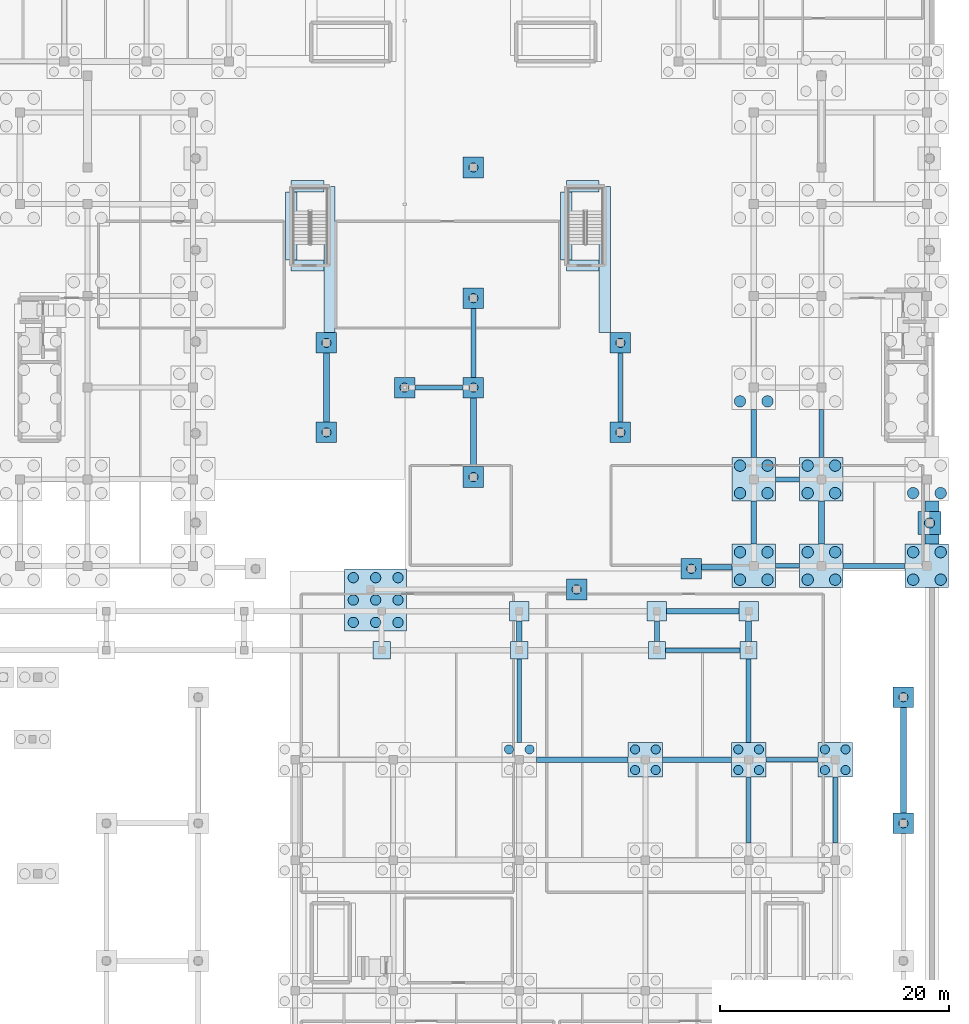
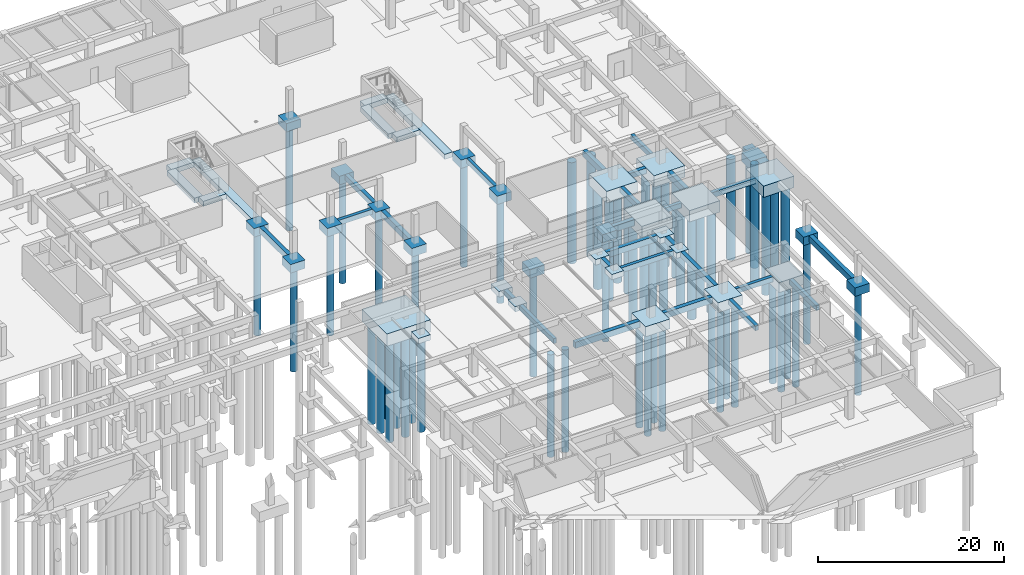
# One storey, part 10 of 35: 66 footings, 61 piles.
"""IFC4 building model written with IfcOpenShell, lengths in metres."""

from ifc_helpers import new_model, si_unit, direction, frame, origin, origin_2d, place, context, subcontext, project, spatial, rectangle, circle, extrude, material, material_profile, profile_set, type_object, element, save


model = new_model("IFC4")

# Units and contexts
model_context = context("Model", 3, precision=1e-05, world=origin(), true_north=direction((0.0, 1.0)))
body_context = subcontext(model_context, "Body", "Model", "MODEL_VIEW")
ifc_project = project(units=[si_unit("LENGTHUNIT", "METRE"), si_unit("AREAUNIT", "SQUARE_METRE"), si_unit("VOLUMEUNIT", "CUBIC_METRE"), si_unit("PLANEANGLEUNIT", "RADIAN"), si_unit("MASSUNIT", "GRAM", prefix="KILO")], contexts=[model_context])

# Site, building, storey
site_placement = place(None, origin())
site = spatial("IfcSite", under=ifc_project, at=site_placement, CompositionType="ELEMENT")
building_placement = place(site_placement, origin())
building = spatial("IfcBuilding", under=site, at=building_placement, Name="Keldmere Railside Commons", CompositionType="ELEMENT")
storey_placement = place(building_placement, frame((0.0, 0.0, -3.840087890625)))
storey = spatial("IfcBuildingStorey", under=building, at=storey_placement, Name="B1", CompositionType="ELEMENT", Elevation=-3.840087890625)

# Piles
ifc_material_1 = material(Name="Concrete H-30 (C30/37)", Category="concrete")
ifc_material_profile_1 = material_profile(ifc_material_1, circle(Radius=0.5, at=origin_2d()), Name="PILE-D1000")
ifc_profile_set_1 = profile_set([ifc_material_profile_1], Name="Concrete H-30 (C30/37)")
pile_type_1 = type_object("IfcPileType", Name="Bored Concrete Pile D1000", PredefinedType="BORED", material=ifc_profile_set_1)
for number, where, z_axis, x_axis, name in (
    (1, (167.25, 55.25, -1.39990234375), (0.0, 0.0, -1.0), (1.0, 0.0, 0.0), "BP-1000 PILE-0737"),
    (2, (169.64990234375, 55.25, -1.39990234375), (0.0, 0.0, -1.0), (1.0, 0.0, 0.0), "BP-1000 PILE-0738"),
    (3, (169.64990234375, 57.64990234375, -1.39990234375), (0.0, 0.0, -1.0), (1.0, 0.0, 0.0), "BP-1000 PILE-0739"),
    (4, (167.25, 57.64990234375, -1.39990234375), (0.0, 0.0, -1.0), (1.0, 0.0, 0.0), "BP-1000 PILE-0740"),
    (5, (167.25, 62.800048828125, -1.39990234375), (0.0, 0.0, -1.0), (1.0, 0.0, 0.0), "BP-1000 PILE-0741"),
    (6, (169.64990234375, 62.800048828125, -1.39990234375), (0.0, 0.0, -1.0), (1.0, 0.0, 0.0), "BP-1000 PILE-0742"),
    (7, (169.64990234375, 65.199951171875, -1.39990234375), (0.0, 0.0, -1.0), (1.0, 0.0, 0.0), "BP-1000 PILE-0743"),
    (8, (167.25, 65.199951171875, -1.39990234375), (0.0, 0.0, -1.0), (1.0, 0.0, 0.0), "BP-1000 PILE-0744"),
    (9, (167.25, 70.800048828125, -1.39990234375), (0.0, 0.0, -1.0), (1.0, 0.0, 0.0), "BP-1000 PILE-0745"),
    (10, (169.64990234375, 70.800048828125, -1.39990234375), (0.0, 0.0, -1.0), (1.0, 0.0, 0.0), "BP-1000 PILE-0746"),
    (11, (173.14990234375, 55.25, -1.39990234375), (0.0, 0.0, -1.0), (1.0, 0.0, 0.0), "BP-1000 PILE-0773"),
    (12, (175.550048828125, 55.25, -1.39990234375), (0.0, 0.0, -1.0), (1.0, 0.0, 0.0), "BP-1000 PILE-0774"),
    (13, (175.550048828125, 57.64990234375, -1.39990234375), (0.0, 0.0, -1.0), (1.0, 0.0, 0.0), "BP-1000 PILE-0775"),
    (14, (173.14990234375, 57.64990234375, -1.39990234375), (0.0, 0.0, -1.0), (1.0, 0.0, 0.0), "BP-1000 PILE-0776"),
    (15, (173.14990234375, 62.800048828125, -1.39990234375), (0.0, 0.0, -1.0), (1.0, 0.0, 0.0), "BP-1000 PILE-0777"),
    (16, (175.550048828125, 62.800048828125, -1.39990234375), (0.0, 0.0, -1.0), (1.0, 0.0, 0.0), "BP-1000 PILE-0778"),
    (17, (175.550048828125, 65.199951171875, -1.39990234375), (0.0, 0.0, -1.0), (1.0, 0.0, 0.0), "BP-1000 PILE-0779"),
    (18, (173.14990234375, 65.199951171875, -1.39990234375), (0.0, 0.0, -1.0), (1.0, 0.0, 0.0), "BP-1000 PILE-0780"),
    (19, (182.35009765625, 55.25, -1.39990234375), (0.0, 0.0, -1.0), (1.0, 0.0, 0.0), "BP-1000 PILE-0827"),
    (20, (184.75, 55.25, -1.39990234375), (0.0, 0.0, -1.0), (1.0, 0.0, 0.0), "BP-1000 PILE-0828"),
    (21, (184.75, 57.64990234375, -1.39990234375), (0.0, 0.0, -1.0), (1.0, 0.0, 0.0), "BP-1000 PILE-0829"),
    (22, (182.35009765625, 57.64990234375, -1.39990234375), (0.0, 0.0, -1.0), (1.0, 0.0, 0.0), "BP-1000 PILE-0830"),
    (23, (182.35009765625, 62.800048828125, -1.39990234375), (0.0, 0.0, -1.0), (1.0, 0.0, 0.0), "BP-1000 PILE-0831"),
    (24, (184.75, 62.800048828125, -1.39990234375), (0.0, 0.0, -1.0), (1.0, 0.0, 0.0), "BP-1000 PILE-0832"),
):
    element("IfcPile", number, at=place(storey_placement, frame(where, z_axis=z_axis, x_axis=x_axis)), inside=storey, type_object=pile_type_1, Name=name, PredefinedType="BORED", context=body_context, shape_type="SweptSolid", body=[
        extrude(circle(Radius=0.5, at=origin_2d()), origin(), (0.0, 0.0, 1.0), 13.260009765625),
    ])
ifc_material_profile_2 = material_profile(ifc_material_1, circle(Radius=0.39990234375, at=origin_2d()), Name="PILE-D800")
ifc_profile_set_2 = profile_set([ifc_material_profile_2], Name="Concrete H-30 (C30/37)")
pile_type_2 = type_object("IfcPileType", Name="Bored Concrete Pile D800", PredefinedType="BORED", material=ifc_profile_set_2)
for number, where, z_axis, x_axis, name in (
    (25, (131.18310546875, 68.10009765625, -1.0), (0.0, 0.0, -1.0), (1.0, 0.0, 0.0), "BP-800 PILE-0615"),
    (26, (131.18310546875, 75.89990234375, -1.0), (0.0, 0.0, -1.0), (1.0, 0.0, 0.0), "BP-800 PILE-0616"),
    (27, (138.0, 72.0, -1.0), (0.0, 0.0, -1.0), (1.0, 0.0, 0.0), "BP-800 PILE-0650"),
    (28, (144.0, 64.199951171875, -1.0), (0.0, 0.0, -1.0), (1.0, 0.0, 0.0), "BP-800 PILE-0652"),
    (29, (144.0, 72.0, -1.0), (0.0, 0.0, -1.0), (1.0, 0.0, 0.0), "BP-800 PILE-0653"),
    (30, (144.0, 79.800048828125, -1.0), (0.0, 0.0, -1.0), (1.0, 0.0, 0.0), "BP-800 PILE-0654"),
    (31, (144.0, 91.199951171875, -1.0), (0.0, 0.0, -1.0), (1.0, 0.0, 0.0), "BP-800 PILE-0655"),
):
    element("IfcPile", number, at=place(storey_placement, frame(where, z_axis=z_axis, x_axis=x_axis)), inside=storey, type_object=pile_type_2, Name=name, PredefinedType="BORED", context=body_context, shape_type="SweptSolid", body=[
        extrude(circle(Radius=0.39990234375, at=origin_2d()), origin(), (0.0, 0.0, 1.0), 13.659912109375),
    ])
for number, where, z_axis, x_axis, name in (
    (32, (148.89990234375, 40.449951171875, -1.199951171875), (0.0, 0.0, -1.0), (1.0, 0.0, 0.0), "BP-800 PILE-0678"),
    (33, (147.10009765625, 40.449951171875, -1.199951171875), (0.0, 0.0, -1.0), (1.0, 0.0, 0.0), "BP-800 PILE-0679"),
):
    element("IfcPile", number, at=place(storey_placement, frame(where, z_axis=z_axis, x_axis=x_axis)), inside=storey, type_object=pile_type_2, Name=name, PredefinedType="BORED", context=body_context, shape_type="SweptSolid", body=[
        extrude(circle(Radius=0.39990234375, at=origin_2d()), origin(), (0.0, 0.0, 1.0), 13.4599609375),
    ])
for number, where, z_axis, x_axis, name in (
    (34, (153.0, 54.39990234375, -1.0), (0.0, 0.0, -1.0), (1.0, 0.0, 0.0), "BP-800 PILE-0680"),
    (35, (156.81689453125, 68.10009765625, -1.0), (0.0, 0.0, -1.0), (1.0, 0.0, 0.0), "BP-800 PILE-0689"),
    (36, (156.81689453125, 75.89990234375, -1.0), (0.0, 0.0, -1.0), (1.0, 0.0, 0.0), "BP-800 PILE-0690"),
):
    element("IfcPile", number, at=place(storey_placement, frame(where, z_axis=z_axis, x_axis=x_axis)), inside=storey, type_object=pile_type_2, Name=name, PredefinedType="BORED", context=body_context, shape_type="SweptSolid", body=[
        extrude(circle(Radius=0.39990234375, at=origin_2d()), origin(), (0.0, 0.0, 1.0), 13.659912109375),
    ])
for number, where, z_axis, x_axis, name in (
    (37, (158.10009765625, 38.64990234375, -1.199951171875), (0.0, 0.0, -1.0), (1.0, 0.0, 0.0), "BP-800 PILE-0703"),
    (38, (159.89990234375, 38.64990234375, -1.199951171875), (0.0, 0.0, -1.0), (1.0, 0.0, 0.0), "BP-800 PILE-0704"),
    (39, (159.89990234375, 40.449951171875, -1.199951171875), (0.0, 0.0, -1.0), (1.0, 0.0, 0.0), "BP-800 PILE-0705"),
    (40, (158.10009765625, 40.449951171875, -1.199951171875), (0.0, 0.0, -1.0), (1.0, 0.0, 0.0), "BP-800 PILE-0706"),
):
    element("IfcPile", number, at=place(storey_placement, frame(where, z_axis=z_axis, x_axis=x_axis)), inside=storey, type_object=pile_type_2, Name=name, PredefinedType="BORED", context=body_context, shape_type="SweptSolid", body=[
        extrude(circle(Radius=0.39990234375, at=origin_2d()), origin(), (0.0, 0.0, 1.0), 13.4599609375),
    ])
pile_1_placement = place(storey_placement, frame((163.0, 56.199951171875, -1.0), z_axis=(0.0, 0.0, -1.0), x_axis=(1.0, 0.0, 0.0)))
element("IfcPile", 41, at=pile_1_placement, inside=storey, type_object=pile_type_2, Name="BP-800 PILE-0720", PredefinedType="BORED", context=body_context, shape_type="SweptSolid", body=[
    extrude(circle(Radius=0.39990234375, at=origin_2d()), origin(), (0.0, 0.0, 1.0), 13.659912109375),
])
for number, where, z_axis, x_axis, name in (
    (42, (167.10009765625, 38.64990234375, -1.199951171875), (0.0, 0.0, -1.0), (1.0, 0.0, 0.0), "BP-800 PILE-0733"),
    (43, (168.89990234375, 38.64990234375, -1.199951171875), (0.0, 0.0, -1.0), (1.0, 0.0, 0.0), "BP-800 PILE-0734"),
    (44, (168.89990234375, 40.449951171875, -1.199951171875), (0.0, 0.0, -1.0), (1.0, 0.0, 0.0), "BP-800 PILE-0735"),
    (45, (167.10009765625, 40.449951171875, -1.199951171875), (0.0, 0.0, -1.0), (1.0, 0.0, 0.0), "BP-800 PILE-0736"),
    (46, (174.64990234375, 38.64990234375, -1.199951171875), (0.0, 0.0, -1.0), (1.0, 0.0, 0.0), "BP-800 PILE-0811"),
    (47, (176.449951171875, 38.64990234375, -1.199951171875), (0.0, 0.0, -1.0), (1.0, 0.0, 0.0), "BP-800 PILE-0812"),
    (48, (176.449951171875, 40.449951171875, -1.199951171875), (0.0, 0.0, -1.0), (1.0, 0.0, 0.0), "BP-800 PILE-0813"),
    (49, (174.64990234375, 40.449951171875, -1.199951171875), (0.0, 0.0, -1.0), (1.0, 0.0, 0.0), "BP-800 PILE-0814"),
):
    element("IfcPile", number, at=place(storey_placement, frame(where, z_axis=z_axis, x_axis=x_axis)), inside=storey, type_object=pile_type_2, Name=name, PredefinedType="BORED", context=body_context, shape_type="SweptSolid", body=[
        extrude(circle(Radius=0.39990234375, at=origin_2d()), origin(), (0.0, 0.0, 1.0), 13.4599609375),
    ])
for number, where, z_axis, x_axis, name in (
    (50, (181.5, 34.0, -1.0), (0.0, 0.0, -1.0), (1.0, 0.0, 0.0), "BP-800 PILE-0825"),
    (51, (181.5, 45.0, -1.0), (0.0, 0.0, -1.0), (1.0, 0.0, 0.0), "BP-800 PILE-0826"),
):
    element("IfcPile", number, at=place(storey_placement, frame(where, z_axis=z_axis, x_axis=x_axis)), inside=storey, type_object=pile_type_2, Name=name, PredefinedType="BORED", context=body_context, shape_type="SweptSolid", body=[
        extrude(circle(Radius=0.39990234375, at=origin_2d()), origin(), (0.0, 0.0, 1.0), 13.659912109375),
    ])
ifc_material_profile_3 = material_profile(ifc_material_1, circle(Radius=0.449951171875, at=origin_2d()), Name="PILE-D900")
ifc_profile_set_3 = profile_set([ifc_material_profile_3], Name="Concrete H-30 (C30/37)")
pile_type_3 = type_object("IfcPileType", Name="Bored Concrete Pile D900", PredefinedType="BORED", material=ifc_profile_set_3)
for number, where, z_axis, x_axis, name in (
    (52, (133.52490234375, 51.52490234375, -1.5), (0.0, 0.0, -1.0), (1.0, 0.0, 0.0), "BP-900 PILE-0617"),
    (53, (133.52490234375, 53.47509765625, -1.5), (0.0, 0.0, -1.0), (1.0, 0.0, 0.0), "BP-900 PILE-0618"),
    (54, (133.52490234375, 55.425048828125, -1.5), (0.0, 0.0, -1.0), (1.0, 0.0, 0.0), "BP-900 PILE-0619"),
    (55, (135.47509765625, 51.52490234375, -1.5), (0.0, 0.0, -1.0), (1.0, 0.0, 0.0), "BP-900 PILE-0620"),
    (56, (135.47509765625, 53.47509765625, -1.5), (0.0, 0.0, -1.0), (1.0, 0.0, 0.0), "BP-900 PILE-0621"),
    (57, (135.47509765625, 55.425048828125, -1.5), (0.0, 0.0, -1.0), (1.0, 0.0, 0.0), "BP-900 PILE-0622"),
    (58, (137.425048828125, 51.52490234375, -1.5), (0.0, 0.0, -1.0), (1.0, 0.0, 0.0), "BP-900 PILE-0623"),
    (59, (137.425048828125, 53.47509765625, -1.5), (0.0, 0.0, -1.0), (1.0, 0.0, 0.0), "BP-900 PILE-0624"),
    (60, (137.425048828125, 55.425048828125, -1.5), (0.0, 0.0, -1.0), (1.0, 0.0, 0.0), "BP-900 PILE-0625"),
):
    element("IfcPile", number, at=place(storey_placement, frame(where, z_axis=z_axis, x_axis=x_axis)), inside=storey, type_object=pile_type_3, Name=name, PredefinedType="BORED", context=body_context, shape_type="SweptSolid", body=[
        extrude(circle(Radius=0.449951171875, at=origin_2d()), origin(), (0.0, 0.0, 1.0), 13.159912109375),
    ])
pile_2_placement = place(storey_placement, frame((183.780029296875, 60.199951171875, -1.099853515625), z_axis=(0.0, 0.0, -1.0), x_axis=(1.0, 0.0, 0.0)))
element("IfcPile", 61, at=pile_2_placement, inside=storey, type_object=pile_type_3, Name="BP-900 PILE-0859", PredefinedType="BORED", context=body_context, shape_type="SweptSolid", body=[
    extrude(circle(Radius=0.449951171875, at=origin_2d()), origin(), (0.0, 0.0, 1.0), 13.56005859375),
])

# Footings
ifc_material_2 = material(Name="Concrete H-40 (C40/50)", Category="concrete")
footing_type_1 = type_object("IfcFootingType", Name="Canopy Pad Footing 1700x1700x750", PredefinedType="PAD_FOOTING", material=ifc_material_2)
for number, where, z_axis, x_axis, name in (
    (62, (148.0, 52.5, -0.75), (0.0, 0.0, 1.0), (1.0, 0.0, 0.0), "PF-02 FTG-277"),
    (63, (160.0, 52.5, -0.75), (0.0, 0.0, 1.0), (1.0, 0.0, 0.0), "PF-02 FTG-289"),
    (64, (168.0, 52.5, -0.75), (0.0, 0.0, 1.0), (1.0, 0.0, 0.0), "PF-02 FTG-299"),
):
    element("IfcFooting", number, at=place(storey_placement, frame(where, z_axis=z_axis, x_axis=x_axis)), inside=storey, type_object=footing_type_1, Name=name, PredefinedType="PAD_FOOTING", context=body_context, shape_type="SweptSolid", body=[
        extrude(rectangle(XDim=1.699951171875, YDim=1.699951171875, at=origin_2d()), origin(), (0.0, 0.0, 1.0), 0.75),
    ])
footing_type_2 = type_object("IfcFootingType", Name="Colonnade Pad Footing 1500x1500x700", PredefinedType="PAD_FOOTING", material=ifc_material_2)
for number, where, z_axis, x_axis, name in (
    (65, (136.0, 49.10009765625, -0.69970703125), (0.0, 0.0, 1.0), (1.0, 0.0, 0.0), "PF-01 FTG-257"),
    (66, (148.0, 49.10009765625, -0.69970703125), (0.0, 0.0, 1.0), (1.0, 0.0, 0.0), "PF-01 FTG-276"),
    (67, (160.0, 49.10009765625, -0.69970703125), (0.0, 0.0, 1.0), (1.0, 0.0, 0.0), "PF-01 FTG-288"),
    (68, (168.0, 49.10009765625, -0.69970703125), (0.0, 0.0, 1.0), (1.0, 0.0, 0.0), "PF-01 FTG-298"),
):
    element("IfcFooting", number, at=place(storey_placement, frame(where, z_axis=z_axis, x_axis=x_axis)), inside=storey, type_object=footing_type_2, Name=name, PredefinedType="PAD_FOOTING", context=body_context, shape_type="SweptSolid", body=[
        extrude(rectangle(XDim=1.5, YDim=1.5, at=origin_2d()), origin(), (0.0, 0.0, 1.0), 0.699951171875),
    ])
footing_type_3 = type_object("IfcFootingType", Name="Four-Pile Cap 3000x3000x1300", PredefinedType="PILE_CAP", material=ifc_material_2)
for number, where, z_axis, x_axis, name in (
    (69, (159.0, 39.550048828125, -1.2998046875), (0.0, 0.0, 1.0), (1.0, 0.0, 0.0), "PC-04 FTG-286"),
    (70, (168.0, 39.550048828125, -1.2998046875), (0.0, 0.0, 1.0), (1.0, 0.0, 0.0), "PC-04 FTG-297"),
    (71, (175.550048828125, 39.550048828125, -1.2998046875), (0.0, 0.0, 1.0), (1.0, 0.0, 0.0), "PC-04 FTG-319"),
):
    element("IfcFooting", number, at=place(storey_placement, frame(where, z_axis=z_axis, x_axis=x_axis)), inside=storey, type_object=footing_type_3, Name=name, PredefinedType="PILE_CAP", context=body_context, shape_type="SweptSolid", body=[
        extrude(rectangle(XDim=3.0, YDim=3.0, at=origin_2d()), origin(), (0.0, 0.0, 1.0), 1.300048828125),
    ])
footing_type_4 = type_object("IfcFootingType", Name="Four-Pile D1000 Cap 3800x3800x1500", PredefinedType="PILE_CAP", material=ifc_material_2)
for number, where, z_axis, x_axis, name in (
    (72, (168.449951171875, 56.449951171875, -1.5), (0.0, 0.0, 1.0), (1.0, 0.0, 0.0), "PC-06 FTG-300"),
    (73, (168.449951171875, 64.0, -1.5), (0.0, 0.0, 1.0), (1.0, 0.0, 0.0), "PC-06 FTG-301"),
    (74, (174.35009765625, 56.449951171875, -1.5), (0.0, 0.0, 1.0), (1.0, 0.0, 0.0), "PC-06 FTG-309"),
    (75, (174.35009765625, 64.0, -1.5), (0.0, 0.0, 1.0), (1.0, 0.0, 0.0), "PC-06 FTG-310"),
    (76, (183.550048828125, 56.449951171875, -1.5), (0.0, 0.0, 1.0), (1.0, 0.0, 0.0), "PC-06 FTG-326"),
):
    element("IfcFooting", number, at=place(storey_placement, frame(where, z_axis=z_axis, x_axis=x_axis)), inside=storey, type_object=footing_type_4, Name=name, PredefinedType="PILE_CAP", context=body_context, shape_type="SweptSolid", body=[
        extrude(rectangle(XDim=3.800048828125, YDim=3.800048828125, at=origin_2d()), origin(), (0.0, 0.0, 1.0), 1.5),
    ])
footing_type_5 = type_object("IfcFootingType", Name="Nine-Pile Core Cap 5400x5400x1600", PredefinedType="PILE_CAP", material=ifc_material_2)
footing_1_placement = place(storey_placement, frame((135.47509765625, 53.47509765625, -1.599853515625), z_axis=(0.0, 0.0, 1.0), x_axis=(1.0, 0.0, 0.0)))
element("IfcFooting", 77, at=footing_1_placement, inside=storey, type_object=footing_type_5, Name="PC-08 FTG-256", PredefinedType="PILE_CAP", context=body_context, shape_type="SweptSolid", body=[
    extrude(rectangle(XDim=5.39990234375, YDim=5.39990234375, at=origin_2d()), origin(), (0.0, 0.0, 1.0), 1.60009765625),
])
footing_type_6 = type_object("IfcFootingType", Name="Perimeter Ground Tie Beam 400x650", PredefinedType="FOOTING_BEAM", material=ifc_material_2)
footing_2_placement = place(storey_placement, frame((141.0, 72.0, -0.64990234375), z_axis=(0.0, 0.0, 1.0), x_axis=(1.0, 0.0, 0.0)))
element("IfcFooting", 78, at=footing_2_placement, inside=storey, type_object=footing_type_6, Name="GB-03 GB-218", PredefinedType="FOOTING_BEAM", context=body_context, shape_type="SweptSolid", body=[
    extrude(rectangle(XDim=4.199951171875, YDim=0.39990234375, at=origin_2d()), origin(), (0.0, 0.0, 1.0), 0.64990234375),
])
footing_3_placement = place(storey_placement, frame((148.0, 44.699951171875, -0.64990234375), z_axis=(0.0, 0.0, 1.0), x_axis=(0.0, 1.0, 0.0)))
element("IfcFooting", 79, at=footing_3_placement, inside=storey, type_object=footing_type_6, Name="GB-03 GB-230", PredefinedType="FOOTING_BEAM", context=body_context, shape_type="SweptSolid", body=[
    extrude(rectangle(XDim=7.300048828125, YDim=0.39990234375, at=origin_2d()), origin(), (0.0, 0.0, 1.0), 0.64990234375),
])
footing_4_placement = place(storey_placement, frame((156.81689453125, 72.0, -0.64990234375), z_axis=(0.0, 0.0, 1.0), x_axis=(0.0, 1.0, 0.0)))
element("IfcFooting", 80, at=footing_4_placement, inside=storey, type_object=footing_type_6, Name="GB-03 GB-236", PredefinedType="FOOTING_BEAM", context=body_context, shape_type="SweptSolid", body=[
    extrude(rectangle(XDim=6.0, YDim=0.39990234375, at=origin_2d()), origin(), (0.0, 0.0, 1.0), 0.64990234375),
])
footing_5_placement = place(storey_placement, frame((164.0, 49.10009765625, -0.64990234375), z_axis=(0.0, 0.0, 1.0), x_axis=(1.0, 0.0, 0.0)))
element("IfcFooting", 81, at=footing_5_placement, inside=storey, type_object=footing_type_6, Name="GB-03 GB-245", PredefinedType="FOOTING_BEAM", context=body_context, shape_type="SweptSolid", body=[
    extrude(rectangle(XDim=6.5, YDim=0.39990234375, at=origin_2d()), origin(), (0.0, 0.0, 1.0), 0.64990234375),
])
footing_6_placement = place(storey_placement, frame((168.0, 35.175048828125, -0.64990234375), z_axis=(0.0, 0.0, 1.0), x_axis=(0.0, 1.0, 0.0)))
element("IfcFooting", 82, at=footing_6_placement, inside=storey, type_object=footing_type_6, Name="GB-03 GB-257", PredefinedType="FOOTING_BEAM", context=body_context, shape_type="SweptSolid", body=[
    extrude(rectangle(XDim=5.75, YDim=0.39990234375, at=origin_2d()), origin(), (0.0, 0.0, 1.0), 0.64990234375),
])
footing_7_placement = place(storey_placement, frame((171.77490234375, 39.550048828125, -0.64990234375), z_axis=(0.0, 0.0, 1.0), x_axis=(1.0, 0.0, 0.0)))
element("IfcFooting", 83, at=footing_7_placement, inside=storey, type_object=footing_type_6, Name="GB-03 GB-260", PredefinedType="FOOTING_BEAM", context=body_context, shape_type="SweptSolid", body=[
    extrude(rectangle(XDim=4.550048828125, YDim=0.39990234375, at=origin_2d()), origin(), (0.0, 0.0, 1.0), 0.64990234375),
])
footing_8_placement = place(storey_placement, frame((171.39990234375, 56.449951171875, -0.64990234375), z_axis=(0.0, 0.0, 1.0), x_axis=(1.0, 0.0, 0.0)))
element("IfcFooting", 84, at=footing_8_placement, inside=storey, type_object=footing_type_6, Name="GB-03 GB-263", PredefinedType="FOOTING_BEAM", context=body_context, shape_type="SweptSolid", body=[
    extrude(rectangle(XDim=2.10009765625, YDim=0.39990234375, at=origin_2d()), origin(), (0.0, 0.0, 1.0), 0.64990234375),
])
footing_9_placement = place(storey_placement, frame((174.35009765625, 68.0, -0.64990234375), z_axis=(0.0, 0.0, 1.0), x_axis=(0.0, 1.0, 0.0)))
element("IfcFooting", 85, at=footing_9_placement, inside=storey, type_object=footing_type_6, Name="GB-03 GB-278", PredefinedType="FOOTING_BEAM", context=body_context, shape_type="SweptSolid", body=[
    extrude(rectangle(XDim=4.199951171875, YDim=0.39990234375, at=origin_2d()), origin(), (0.0, 0.0, 1.0), 0.64990234375),
])
footing_10_placement = place(storey_placement, frame((175.550048828125, 35.175048828125, -0.64990234375), z_axis=(0.0, 0.0, 1.0), x_axis=(0.0, 1.0, 0.0)))
element("IfcFooting", 86, at=footing_10_placement, inside=storey, type_object=footing_type_6, Name="GB-03 GB-287", PredefinedType="FOOTING_BEAM", context=body_context, shape_type="SweptSolid", body=[
    extrude(rectangle(XDim=5.75, YDim=0.39990234375, at=origin_2d()), origin(), (0.0, 0.0, 1.0), 0.64990234375),
])
footing_type_7 = type_object("IfcFootingType", Name="Primary Ground Tie Beam 500x800", PredefinedType="FOOTING_BEAM", material=ifc_material_2)
for number, where, z_axis, x_axis, name in (
    (87, (131.18310546875, 72.0, -0.7998046875), (0.0, 0.0, 1.0), (0.0, 1.0, 0.0), "GB-01 GB-207"),
    (88, (144.0, 68.10009765625, -0.7998046875), (0.0, 0.0, 1.0), (0.0, 1.0, 0.0), "GB-01 GB-219"),
):
    element("IfcFooting", number, at=place(storey_placement, frame(where, z_axis=z_axis, x_axis=x_axis)), inside=storey, type_object=footing_type_7, Name=name, PredefinedType="FOOTING_BEAM", context=body_context, shape_type="SweptSolid", body=[
        extrude(rectangle(XDim=6.0, YDim=0.5, at=origin_2d()), origin(), (0.0, 0.0, 1.0), 0.800048828125),
    ])
footing_11_placement = place(storey_placement, frame((153.5, 39.550048828125, -0.7998046875), z_axis=(0.0, 0.0, 1.0), x_axis=(1.0, 0.0, 0.0)))
element("IfcFooting", 89, at=footing_11_placement, inside=storey, type_object=footing_type_7, Name="GB-01 GB-231", PredefinedType="FOOTING_BEAM", context=body_context, shape_type="SweptSolid", body=[
    extrude(rectangle(XDim=8.0, YDim=0.5, at=origin_2d()), origin(), (0.0, 0.0, 1.0), 0.800048828125),
])
footing_12_placement = place(storey_placement, frame((163.5, 39.550048828125, -0.7998046875), z_axis=(0.0, 0.0, 1.0), x_axis=(1.0, 0.0, 0.0)))
element("IfcFooting", 90, at=footing_12_placement, inside=storey, type_object=footing_type_7, Name="GB-01 GB-243", PredefinedType="FOOTING_BEAM", context=body_context, shape_type="SweptSolid", body=[
    extrude(rectangle(XDim=6.0, YDim=0.5, at=origin_2d()), origin(), (0.0, 0.0, 1.0), 0.800048828125),
])
footing_13_placement = place(storey_placement, frame((164.0, 52.5, -0.7998046875), z_axis=(0.0, 0.0, 1.0), x_axis=(1.0, 0.0, 0.0)))
element("IfcFooting", 91, at=footing_13_placement, inside=storey, type_object=footing_type_7, Name="GB-01 GB-246", PredefinedType="FOOTING_BEAM", context=body_context, shape_type="SweptSolid", body=[
    extrude(rectangle(XDim=6.300048828125, YDim=0.5, at=origin_2d()), origin(), (0.0, 0.0, 1.0), 0.800048828125),
])
footing_14_placement = place(storey_placement, frame((165.22509765625, 56.324951171875, -0.7998046875), z_axis=(0.0, 0.0, 1.0), x_axis=(1.0, 0.0, 0.0)))
element("IfcFooting", 92, at=footing_14_placement, inside=storey, type_object=footing_type_7, Name="GB-01 GB-252", PredefinedType="FOOTING_BEAM", context=body_context, shape_type="SweptSolid", body=[
    extrude(rectangle(XDim=2.64990234375, YDim=0.5, at=origin_2d()), origin(), (0.0, 0.0, 1.0), 0.800048828125),
])
footing_15_placement = place(storey_placement, frame((168.0, 50.75, -0.7998046875), z_axis=(0.0, 0.0, 1.0), x_axis=(0.0, 1.0, 0.0)))
element("IfcFooting", 93, at=footing_15_placement, inside=storey, type_object=footing_type_7, Name="GB-01 GB-261", PredefinedType="FOOTING_BEAM", context=body_context, shape_type="SweptSolid", body=[
    extrude(rectangle(XDim=1.800048828125, YDim=0.5, at=origin_2d()), origin(), (0.0, 0.0, 1.0), 0.800048828125),
])
footing_16_placement = place(storey_placement, frame((168.449951171875, 68.0, -0.7998046875), z_axis=(0.0, 0.0, 1.0), x_axis=(0.0, 1.0, 0.0)))
element("IfcFooting", 94, at=footing_16_placement, inside=storey, type_object=footing_type_7, Name="GB-01 GB-264", PredefinedType="FOOTING_BEAM", context=body_context, shape_type="SweptSolid", body=[
    extrude(rectangle(XDim=4.199951171875, YDim=0.5, at=origin_2d()), origin(), (0.0, 0.0, 1.0), 0.800048828125),
])
footing_17_placement = place(storey_placement, frame((174.35009765625, 60.22509765625, -0.7998046875), z_axis=(0.0, 0.0, 1.0), x_axis=(0.0, 1.0, 0.0)))
element("IfcFooting", 95, at=footing_17_placement, inside=storey, type_object=footing_type_7, Name="GB-01 GB-276", PredefinedType="FOOTING_BEAM", context=body_context, shape_type="SweptSolid", body=[
    extrude(rectangle(XDim=3.75, YDim=0.5, at=origin_2d()), origin(), (0.0, 0.0, 1.0), 0.800048828125),
])
footing_18_placement = place(storey_placement, frame((181.5, 39.5, -0.7998046875), z_axis=(0.0, 0.0, 1.0), x_axis=(0.0, 1.0, 0.0)))
element("IfcFooting", 96, at=footing_18_placement, inside=storey, type_object=footing_type_7, Name="GB-01 GB-291", PredefinedType="FOOTING_BEAM", context=body_context, shape_type="SweptSolid", body=[
    extrude(rectangle(XDim=9.199951171875, YDim=0.5, at=origin_2d()), origin(), (0.0, 0.0, 1.0), 0.800048828125),
])
footing_type_8 = type_object("IfcFootingType", Name="Ramp Wall Strip Footing 1000x650", PredefinedType="STRIP_FOOTING", material=ifc_material_2)
footing_19_placement = place(storey_placement, frame((131.449951171875, 83.175048828125, -0.64990234375), z_axis=(0.0, 0.0, 1.0), x_axis=(0.0, 1.0, 0.0)))
element("IfcFooting", 97, at=footing_19_placement, inside=storey, type_object=footing_type_8, Name="SF-02 WSF-087", PredefinedType="STRIP_FOOTING", context=body_context, shape_type="SweptSolid", body=[
    extrude(rectangle(XDim=12.75, YDim=1.0, at=origin_2d()), origin(), (0.0, 0.0, 1.0), 0.64990234375),
])
for number, where, z_axis, x_axis, name in (
    (98, (129.52490234375, 89.550048828125, -0.64990234375), (0.0, 0.0, 1.0), (1.0, 0.0, 0.0), "SF-02 WSF-088"),
    (99, (129.52490234375, 82.64990234375, -0.64990234375), (0.0, 0.0, 1.0), (1.0, 0.0, 0.0), "SF-02 WSF-089"),
):
    element("IfcFooting", number, at=place(storey_placement, frame(where, z_axis=z_axis, x_axis=x_axis)), inside=storey, type_object=footing_type_8, Name=name, PredefinedType="STRIP_FOOTING", context=body_context, shape_type="SweptSolid", body=[
        extrude(rectangle(XDim=2.85009765625, YDim=1.0, at=origin_2d()), origin(), (0.0, 0.0, 1.0), 0.64990234375),
    ])
footing_20_placement = place(storey_placement, frame((128.10009765625, 86.10009765625, -0.64990234375), z_axis=(0.0, 0.0, 1.0), x_axis=(0.0, 1.0, 0.0)))
element("IfcFooting", 100, at=footing_20_placement, inside=storey, type_object=footing_type_8, Name="SF-02 WSF-090", PredefinedType="STRIP_FOOTING", context=body_context, shape_type="SweptSolid", body=[
    extrude(rectangle(XDim=5.89990234375, YDim=1.0, at=origin_2d()), origin(), (0.0, 0.0, 1.0), 0.64990234375),
])
footing_21_placement = place(storey_placement, frame((155.449951171875, 83.175048828125, -0.64990234375), z_axis=(0.0, 0.0, 1.0), x_axis=(0.0, 1.0, 0.0)))
element("IfcFooting", 101, at=footing_21_placement, inside=storey, type_object=footing_type_8, Name="SF-02 WSF-091", PredefinedType="STRIP_FOOTING", context=body_context, shape_type="SweptSolid", body=[
    extrude(rectangle(XDim=12.75, YDim=1.0, at=origin_2d()), origin(), (0.0, 0.0, 1.0), 0.64990234375),
])
for number, where, z_axis, x_axis, name in (
    (102, (153.52490234375, 89.550048828125, -0.64990234375), (0.0, 0.0, 1.0), (1.0, 0.0, 0.0), "SF-02 WSF-092"),
    (103, (153.52490234375, 82.64990234375, -0.64990234375), (0.0, 0.0, 1.0), (1.0, 0.0, 0.0), "SF-02 WSF-093"),
):
    element("IfcFooting", number, at=place(storey_placement, frame(where, z_axis=z_axis, x_axis=x_axis)), inside=storey, type_object=footing_type_8, Name=name, PredefinedType="STRIP_FOOTING", context=body_context, shape_type="SweptSolid", body=[
        extrude(rectangle(XDim=2.85009765625, YDim=1.0, at=origin_2d()), origin(), (0.0, 0.0, 1.0), 0.64990234375),
    ])
footing_22_placement = place(storey_placement, frame((152.10009765625, 86.10009765625, -0.64990234375), z_axis=(0.0, 0.0, 1.0), x_axis=(0.0, 1.0, 0.0)))
element("IfcFooting", 104, at=footing_22_placement, inside=storey, type_object=footing_type_8, Name="SF-02 WSF-094", PredefinedType="STRIP_FOOTING", context=body_context, shape_type="SweptSolid", body=[
    extrude(rectangle(XDim=5.89990234375, YDim=1.0, at=origin_2d()), origin(), (0.0, 0.0, 1.0), 0.64990234375),
])
footing_type_9 = type_object("IfcFootingType", Name="Retaining Wall Strip Footing 1200x750", PredefinedType="STRIP_FOOTING", material=ifc_material_2)
footing_23_placement = place(storey_placement, frame((184.0, 58.77490234375, -0.75), z_axis=(0.0, 0.0, 1.0), x_axis=(0.0, 1.0, 0.0)))
element("IfcFooting", 105, at=footing_23_placement, inside=storey, type_object=footing_type_9, Name="SF-01 WSF-006", PredefinedType="STRIP_FOOTING", context=body_context, shape_type="SweptSolid", body=[
    extrude(rectangle(XDim=0.85009765625, YDim=1.199951171875, at=origin_2d()), origin(), (0.0, 0.0, 1.0), 0.75),
])
footing_24_placement = place(storey_placement, frame((184.0, 61.64990234375, -0.75), z_axis=(0.0, 0.0, 1.0), x_axis=(0.0, 1.0, 0.0)))
element("IfcFooting", 106, at=footing_24_placement, inside=storey, type_object=footing_type_9, Name="SF-01 WSF-007", PredefinedType="STRIP_FOOTING", context=body_context, shape_type="SweptSolid", body=[
    extrude(rectangle(XDim=0.89990234375, YDim=1.199951171875, at=origin_2d()), origin(), (0.0, 0.0, 1.0), 0.75),
])
footing_type_10 = type_object("IfcFootingType", Name="Secondary Ground Tie Beam 450x700", PredefinedType="FOOTING_BEAM", material=ifc_material_2)
footing_25_placement = place(storey_placement, frame((144.0, 75.89990234375, -0.69970703125), z_axis=(0.0, 0.0, 1.0), x_axis=(0.0, 1.0, 0.0)))
element("IfcFooting", 107, at=footing_25_placement, inside=storey, type_object=footing_type_10, Name="GB-02 GB-220", PredefinedType="FOOTING_BEAM", context=body_context, shape_type="SweptSolid", body=[
    extrude(rectangle(XDim=6.0, YDim=0.449951171875, at=origin_2d()), origin(), (0.0, 0.0, 1.0), 0.699951171875),
])
for number, where, z_axis, x_axis, name in (
    (108, (148.0, 50.75, -0.69970703125), (0.0, 0.0, 1.0), (0.0, 1.0, 0.0), "GB-02 GB-232"),
    (109, (160.0, 50.75, -0.69970703125), (0.0, 0.0, 1.0), (0.0, 1.0, 0.0), "GB-02 GB-244"),
):
    element("IfcFooting", number, at=place(storey_placement, frame(where, z_axis=z_axis, x_axis=x_axis)), inside=storey, type_object=footing_type_10, Name=name, PredefinedType="FOOTING_BEAM", context=body_context, shape_type="SweptSolid", body=[
        extrude(rectangle(XDim=1.800048828125, YDim=0.449951171875, at=origin_2d()), origin(), (0.0, 0.0, 1.0), 0.699951171875),
    ])
footing_26_placement = place(storey_placement, frame((168.0, 44.699951171875, -0.69970703125), z_axis=(0.0, 0.0, 1.0), x_axis=(0.0, 1.0, 0.0)))
element("IfcFooting", 110, at=footing_26_placement, inside=storey, type_object=footing_type_10, Name="GB-02 GB-259", PredefinedType="FOOTING_BEAM", context=body_context, shape_type="SweptSolid", body=[
    extrude(rectangle(XDim=7.300048828125, YDim=0.449951171875, at=origin_2d()), origin(), (0.0, 0.0, 1.0), 0.699951171875),
])
footing_27_placement = place(storey_placement, frame((168.449951171875, 60.22509765625, -0.69970703125), z_axis=(0.0, 0.0, 1.0), x_axis=(0.0, 1.0, 0.0)))
element("IfcFooting", 111, at=footing_27_placement, inside=storey, type_object=footing_type_10, Name="GB-02 GB-262", PredefinedType="FOOTING_BEAM", context=body_context, shape_type="SweptSolid", body=[
    extrude(rectangle(XDim=3.75, YDim=0.449951171875, at=origin_2d()), origin(), (0.0, 0.0, 1.0), 0.699951171875),
])
footing_28_placement = place(storey_placement, frame((171.39990234375, 64.0, -0.69970703125), z_axis=(0.0, 0.0, 1.0), x_axis=(1.0, 0.0, 0.0)))
element("IfcFooting", 112, at=footing_28_placement, inside=storey, type_object=footing_type_10, Name="GB-02 GB-265", PredefinedType="FOOTING_BEAM", context=body_context, shape_type="SweptSolid", body=[
    extrude(rectangle(XDim=2.10009765625, YDim=0.449951171875, at=origin_2d()), origin(), (0.0, 0.0, 1.0), 0.699951171875),
])
footing_29_placement = place(storey_placement, frame((178.949951171875, 56.449951171875, -0.69970703125), z_axis=(0.0, 0.0, 1.0), x_axis=(1.0, 0.0, 0.0)))
element("IfcFooting", 113, at=footing_29_placement, inside=storey, type_object=footing_type_10, Name="GB-02 GB-277", PredefinedType="FOOTING_BEAM", context=body_context, shape_type="SweptSolid", body=[
    extrude(rectangle(XDim=5.39990234375, YDim=0.449951171875, at=origin_2d()), origin(), (0.0, 0.0, 1.0), 0.699951171875),
])
footing_type_11 = type_object("IfcFootingType", Name="Single-Pile Cap 1800x1800x1100", PredefinedType="PILE_CAP", material=ifc_material_2)
for number, where, z_axis, x_axis, name in (
    (114, (131.18310546875, 68.10009765625, -1.099853515625), (0.0, 0.0, 1.0), (1.0, 0.0, 0.0), "PC-01 FTG-254"),
    (115, (131.18310546875, 75.89990234375, -1.099853515625), (0.0, 0.0, 1.0), (1.0, 0.0, 0.0), "PC-01 FTG-255"),
    (116, (138.0, 72.0, -1.099853515625), (0.0, 0.0, 1.0), (1.0, 0.0, 0.0), "PC-01 FTG-264"),
    (117, (144.0, 64.199951171875, -1.099853515625), (0.0, 0.0, 1.0), (1.0, 0.0, 0.0), "PC-01 FTG-266"),
    (118, (144.0, 72.0, -1.099853515625), (0.0, 0.0, 1.0), (1.0, 0.0, 0.0), "PC-01 FTG-267"),
    (119, (144.0, 79.800048828125, -1.099853515625), (0.0, 0.0, 1.0), (1.0, 0.0, 0.0), "PC-01 FTG-268"),
    (120, (144.0, 91.199951171875, -1.099853515625), (0.0, 0.0, 1.0), (1.0, 0.0, 0.0), "PC-01 FTG-269"),
    (121, (153.0, 54.39990234375, -1.099853515625), (0.0, 0.0, 1.0), (1.0, 0.0, 0.0), "PC-01 FTG-278"),
    (122, (156.81689453125, 68.10009765625, -1.099853515625), (0.0, 0.0, 1.0), (1.0, 0.0, 0.0), "PC-01 FTG-281"),
    (123, (156.81689453125, 75.89990234375, -1.099853515625), (0.0, 0.0, 1.0), (1.0, 0.0, 0.0), "PC-01 FTG-282"),
    (124, (163.0, 56.199951171875, -1.099853515625), (0.0, 0.0, 1.0), (1.0, 0.0, 0.0), "PC-01 FTG-293"),
    (125, (181.5, 34.0, -1.099853515625), (0.0, 0.0, 1.0), (1.0, 0.0, 0.0), "PC-01 FTG-324"),
    (126, (181.5, 45.0, -1.099853515625), (0.0, 0.0, 1.0), (1.0, 0.0, 0.0), "PC-01 FTG-325"),
):
    element("IfcFooting", number, at=place(storey_placement, frame(where, z_axis=z_axis, x_axis=x_axis)), inside=storey, type_object=footing_type_11, Name=name, PredefinedType="PILE_CAP", context=body_context, shape_type="SweptSolid", body=[
        extrude(rectangle(XDim=1.800048828125, YDim=1.800048828125, at=origin_2d()), origin(), (0.0, 0.0, 1.0), 1.10009765625),
    ])
footing_type_12 = type_object("IfcFootingType", Name="Single-Pile Cap 2000x2000x1200", PredefinedType="PILE_CAP", material=ifc_material_2)
footing_30_placement = place(storey_placement, frame((183.780029296875, 60.199951171875, -1.19970703125), z_axis=(0.0, 0.0, 1.0), x_axis=(1.0, 0.0, 0.0)))
element("IfcFooting", 127, at=footing_30_placement, inside=storey, type_object=footing_type_12, Name="PC-02 FTG-334", PredefinedType="PILE_CAP", context=body_context, shape_type="SweptSolid", body=[
    extrude(rectangle(XDim=2.0, YDim=2.0, at=origin_2d()), origin(), (0.0, 0.0, 1.0), 1.199951171875),
])

save(model, "model.ifc")
